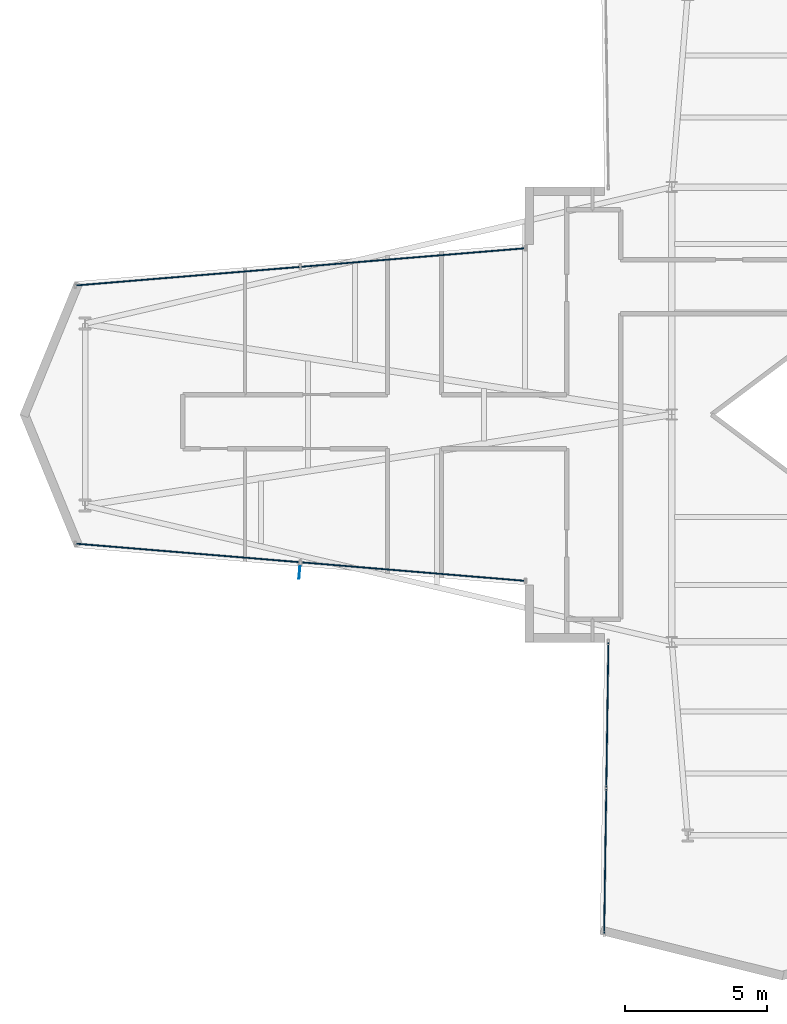
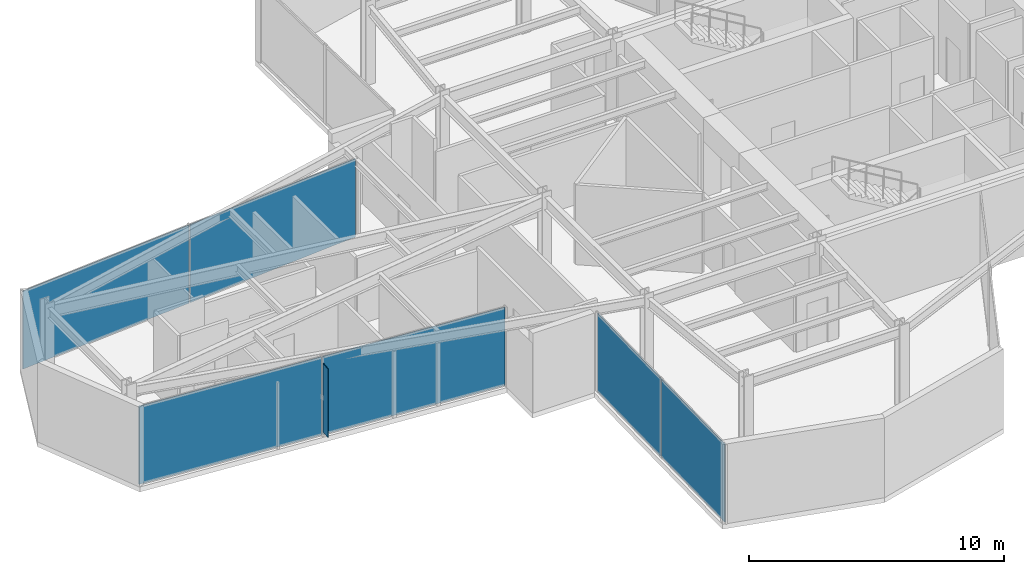
# One storey, part 19 of 25: 7 plates, 3 elements without a shape of their own.
"""IFC4 building model written with IfcOpenShell, lengths in metres."""

import ifcopenshell
import ifcopenshell.guid

model = None  # the IFC model being written
_history = None  # IfcOwnerHistory: only IFC2X3 demands one
_inside = {}  # id of a spatial element -> (the spatial element, [elements in it])
_under = {}  # id of a project, library or spatial element -> (it, [spatial elements below it])
_declared = {}  # id of a project -> (the project, [libraries it declares])
_typed = {}  # id of a type object -> (the type object, [elements of that type])
_made_of = {}  # id of a material, layer set ... -> (it, [elements and type objects made of it])


def new_model(schema):
    """Start an empty IFC model of exactly this schema.

    Asked for "IFC4X3", IfcOpenShell would pick the latest addendum, in which some entities
    have other attributes; the version numbers below select the first issue.
    IFC2X3 requires an IfcOwnerHistory on every rooted entity: one is made here for all.
    """
    global model, _history
    if schema == "IFC4X3":
        model = ifcopenshell.file(schema_version=(4, 3, 0, 0))
    else:
        model = ifcopenshell.file(schema=schema)
    _inside.clear()
    _under.clear()
    _declared.clear()
    _typed.clear()
    _made_of.clear()
    _history = None
    if model.schema == "IFC2X3":
        org = make("IfcOrganization", Name="unknown")
        user = make(
            "IfcPersonAndOrganization",
            ThePerson=make("IfcPerson", FamilyName="unknown"),
            TheOrganization=org,
        )
        app = make(
            "IfcApplication",
            ApplicationDeveloper=org,
            Version="unknown",
            ApplicationFullName="unknown",
            ApplicationIdentifier="unknown",
        )
        _history = make(
            "IfcOwnerHistory",
            OwningUser=user,
            OwningApplication=app,
            ChangeAction="ADDED",
            CreationDate=0,
        )
    return model


def make(cls, **values):
    """One entity of the class cls with the attributes given. An attribute that is None is left unset."""
    return model.create_entity(
        cls, **{name: value for name, value in values.items() if value is not None}
    )


def rooted(cls, **values):
    """An entity with a GlobalId (a new one), such as an element, a storey or a relation."""
    return make(cls, GlobalId=ifcopenshell.guid.new(), OwnerHistory=_history, **values)


def si_unit(unit_type, name, prefix=None):
    """IfcSIUnit, for example si_unit("LENGTHUNIT", "METRE", prefix="MILLI")."""
    return make("IfcSIUnit", UnitType=unit_type, Prefix=prefix, Name=name)


def assignment(units):
    """IfcUnitAssignment: the units of a project."""
    return None if units is None else make("IfcUnitAssignment", Units=units)


def point(xyz):
    """IfcCartesianPoint."""
    return None if xyz is None else make("IfcCartesianPoint", Coordinates=xyz)


def direction(xyz):
    """IfcDirection."""
    return None if xyz is None else make("IfcDirection", DirectionRatios=xyz)


def frame(location, z_axis=None, x_axis=None):
    """IfcAxis2Placement3D, a coordinate frame: its origin and axes. An axis left out is left unset."""
    return make(
        "IfcAxis2Placement3D",
        Location=point(location),
        Axis=direction(z_axis),
        RefDirection=direction(x_axis),
    )


def frame_2d(location, x_axis=None):
    """IfcAxis2Placement2D, a coordinate frame in the plane: its origin and x axis."""
    return make(
        "IfcAxis2Placement2D", Location=point(location), RefDirection=direction(x_axis)
    )


def origin():
    """The frame at (0, 0, 0) with its axes left unset."""
    return frame((0.0, 0.0, 0.0))


def origin_2d():
    """The frame at (0, 0) in the plane with its x axis left unset."""
    return frame_2d((0.0, 0.0))


def place(relative_to, where):
    """IfcLocalPlacement: puts the frame where relative to a parent placement (None: the world)."""
    return make(
        "IfcLocalPlacement", PlacementRelTo=relative_to, RelativePlacement=where
    )


def context(
    kind, dimensions, precision=None, world=None, true_north=None, identifier=None
):
    """IfcGeometricRepresentationContext, for example the 3D "Model" context."""
    return make(
        "IfcGeometricRepresentationContext",
        ContextIdentifier=identifier,
        ContextType=kind,
        CoordinateSpaceDimension=dimensions,
        Precision=precision,
        WorldCoordinateSystem=world,
        TrueNorth=true_north,
    )


def subcontext(parent, identifier, kind, view, scale=None):
    """IfcGeometricRepresentationSubContext, for example "Body" below "Model"."""
    return make(
        "IfcGeometricRepresentationSubContext",
        ContextIdentifier=identifier,
        ContextType=kind,
        ParentContext=parent,
        TargetScale=scale,
        TargetView=view,
    )


def project(units=None, contexts=None):
    """IfcProject with its units and contexts."""
    return rooted(
        "IfcProject",
        Name="project",
        RepresentationContexts=contexts,
        UnitsInContext=assignment(units),
    )


def spatial(cls, under=None, at=None, **own):
    """A site, building, storey or space (cls), placed at a placement, below another one or the project."""
    s = rooted(cls, ObjectPlacement=at, **own)
    if under is not None:
        _under.setdefault(under.id(), (under, []))[1].append(s)
    return s


def profile(cls, at=None, kind="AREA", **sizes):
    """A parametric profile (cls). Its sizes go by their IFC names, for example OverallWidth=200.0."""
    return make(cls, ProfileType=kind, Position=at, **sizes)


def rectangle(**sizes):
    """IfcRectangleProfileDef."""
    return profile("IfcRectangleProfileDef", **sizes)


def extrude(swept, where, along, depth):
    """IfcExtrudedAreaSolid: the profile swept, set in the frame where, extruded along a direction by depth."""
    return make(
        "IfcExtrudedAreaSolid",
        SweptArea=swept,
        Position=where,
        ExtrudedDirection=direction(along),
        Depth=depth,
    )


def shape(context_of_items, identifier, shape_type, items):
    """IfcShapeRepresentation: the items that make up one representation, for example the "Body"."""
    return make(
        "IfcShapeRepresentation",
        ContextOfItems=context_of_items,
        RepresentationIdentifier=identifier,
        RepresentationType=shape_type,
        Items=items,
    )


def material(Name=None, Category=None):
    """IfcMaterial."""
    return make("IfcMaterial", Name=Name, Category=Category)


def layer(
    of_material, thickness, ventilated=None, Name=None, Category=None, Priority=None
):
    """IfcMaterialLayer: one layer of a wall or slab, of a material (None: an air gap)."""
    return make(
        "IfcMaterialLayer",
        Material=of_material,
        LayerThickness=thickness,
        IsVentilated=ventilated,
        Name=Name,
        Category=Category,
        Priority=Priority,
    )


def layer_set(layers, Name=None):
    """IfcMaterialLayerSet."""
    return make("IfcMaterialLayerSet", MaterialLayers=layers, LayerSetName=Name)


def made_of(thing, what):
    """Note that an element or type object is made of a material, layer set ...; save() writes the relation."""
    if what is not None:
        _made_of.setdefault(what.id(), (what, []))[1].append(thing)
    return thing


def type_object(cls, material=None, **own):
    """A type object (cls), such as IfcWallType, which elements share."""
    return made_of(rooted(cls, **own), material)


def element(
    cls,
    number,
    at=None,
    inside=None,
    cuts=None,
    type_object=None,
    material=None,
    context=None,
    identifier="Body",
    shape_type=None,
    held_by="IfcProductDefinitionShape",
    body=None,
    shapes=None,
    **own,
):
    """One element of the class cls, such as IfcWall. Its Tag is "e" and its number.

    at: its placement. inside: the storey or other place that contains it. cuts: it is an
    opening in that element (IfcRelVoidsElement). A single representation is given by context,
    identifier, shape_type and body (its items); several are given by shapes. held_by: the class
    of the entity that holds the representations. save() writes the other relations.
    """
    e = rooted(cls, Tag="e%d" % number, ObjectPlacement=at, **own)
    if body is not None:
        shapes = [shape(context, identifier, shape_type, body)]
    if shapes is not None:
        e.Representation = make(held_by, Representations=shapes)
    if inside is not None:
        _inside.setdefault(inside.id(), (inside, []))[1].append(e)
    if cuts is not None:
        rooted(
            "IfcRelVoidsElement", RelatingBuildingElement=cuts, RelatedOpeningElement=e
        )
    if type_object is not None:
        _typed.setdefault(type_object.id(), (type_object, []))[1].append(e)
    return made_of(e, material)


def aggregate(whole, parts):
    """IfcRelAggregates: a whole, such as a stair, and the parts it consists of."""
    return rooted("IfcRelAggregates", RelatingObject=whole, RelatedObjects=parts)


def save(model, path):
    """Write the relations noted so far, then the file.

    IfcRelAggregates (storeys below a building ...), IfcRelContainedInSpatialStructure (elements
    in a storey), IfcRelDefinesByType, IfcRelAssociatesMaterial and IfcRelDeclares: one each for
    every whole, place, type object, material and project.
    """
    for whole, parts in _under.values():
        aggregate(whole, parts)
    for where, things in _inside.values():
        rooted(
            "IfcRelContainedInSpatialStructure",
            RelatedElements=things,
            RelatingStructure=where,
        )
    for kind, things in _typed.values():
        rooted("IfcRelDefinesByType", RelatedObjects=things, RelatingType=kind)
    for what, things in _made_of.values():
        rooted("IfcRelAssociatesMaterial", RelatedObjects=things, RelatingMaterial=what)
    for by, libraries in _declared.values():
        rooted("IfcRelDeclares", RelatingContext=by, RelatedDefinitions=libraries)
    model.write(path)


model = new_model("IFC4")

# Units and contexts
model_context = context("Model", 3, precision=1e-05, world=origin(), true_north=direction((0.0, 1.0)))
body_context = subcontext(model_context, "Body", "Model", "MODEL_VIEW")
ifc_project = project(units=[si_unit("LENGTHUNIT", "METRE"), si_unit("AREAUNIT", "SQUARE_METRE"), si_unit("VOLUMEUNIT", "CUBIC_METRE"), si_unit("PLANEANGLEUNIT", "RADIAN"), si_unit("MASSUNIT", "GRAM", prefix="KILO")], contexts=[model_context])

# Site, building, storey
site_placement = place(None, origin())
site = spatial("IfcSite", under=ifc_project, at=site_placement, CompositionType="ELEMENT")
building_placement = place(site_placement, origin())
building = spatial("IfcBuilding", under=site, at=building_placement, Name="Veymaron Broadcast Tower", CompositionType="ELEMENT")
storey_placement = place(building_placement, frame((0.0, 0.0, 120.89990234375)))
storey = spatial("IfcBuildingStorey", under=building, at=storey_placement, Name="L27", CompositionType="ELEMENT", Elevation=120.89990234375)

# Curtain wall, plates
ifc_material_1 = material(Name="Anodised aluminium AA 6063-T6 and laminated low-E dark glass", Category="aluminium")
ifc_layer_1 = layer(ifc_material_1, 0.179931640625)
ifc_layer_set_1 = layer_set([ifc_layer_1], Name="Anodised aluminium AA 6063-T6 and laminated low-E dark glass")
curtain_wall_type = type_object("IfcCurtainWallType", Name="CW-SYS-03", PredefinedType="NOTDEFINED", material=ifc_layer_set_1)
curtain_wall_1_placement = place(storey_placement, origin())
curtain_wall_1 = element("IfcCurtainWall", 1, at=curtain_wall_1_placement, inside=storey, type_object=curtain_wall_type, Name="L27 dark-glass curtain wall CW-L27-E11-1", PredefinedType="NOTDEFINED")
ifc_material_2 = material(Name="Insulated dark-anodised aluminium spandrel panel 40 mm", Category="aluminium")
ifc_layer_2 = layer(ifc_material_2, 0.0400390625)
ifc_layer_set_2 = layer_set([ifc_layer_2], Name="Insulated dark-anodised aluminium spandrel panel 40 mm")
plate_type_1 = type_object("IfcPlateType", Name="CW-PNL-03", PredefinedType="CURTAIN_PANEL", material=ifc_layer_set_2)
plate_1_placement = place(storey_placement, frame((22.091552734375, 29.52294921875, 0.0400390625), z_axis=(0.0, 0.0, 1.0), x_axis=(-0.996588588054, -0.082529910699, 0.0)))
plate_1 = element("IfcPlate", 2, at=plate_1_placement, type_object=plate_type_1, Name="CW-L27-E11-1 unitised curtain panel 0", PredefinedType="CURTAIN_PANEL", context=body_context, shape_type="SweptSolid", body=[
    extrude(rectangle(XDim=7.88720703125, YDim=0.0400390625, at=origin_2d()), origin(), (0.0, 0.0, 1.0), 3.72998046875),
])
plate_2_placement = place(storey_placement, frame((14.171630859375, 28.866943359375, 0.0400390625), z_axis=(0.0, 0.0, 1.0), x_axis=(-0.996588588054, -0.082529910699, 0.0)))
plate_2 = element("IfcPlate", 3, at=plate_2_placement, type_object=plate_type_1, Name="CW-L27-E11-1 unitised curtain panel 1", PredefinedType="CURTAIN_PANEL", context=body_context, shape_type="SweptSolid", body=[
    extrude(rectangle(XDim=7.88720703125, YDim=0.0400390625, at=origin_2d()), origin(), (0.0, 0.0, 1.0), 3.72998046875),
])
aggregate(curtain_wall_1, [plate_1, plate_2])

curtain_wall_2_placement = place(storey_placement, origin())
curtain_wall_2 = element("IfcCurtainWall", 4, at=curtain_wall_2_placement, inside=storey, type_object=curtain_wall_type, Name="L27 dark-glass curtain wall CW-L27-E14-1", PredefinedType="NOTDEFINED")
plate_3_placement = place(storey_placement, frame((14.171630859375, 19.133056640625, 0.0400390625), z_axis=(0.0, 0.0, 1.0), x_axis=(0.996588588054, -0.082529910699, 0.0)))
plate_3 = element("IfcPlate", 5, at=plate_3_placement, type_object=plate_type_1, Name="CW-L27-E14-1 unitised curtain panel 0", PredefinedType="CURTAIN_PANEL", context=body_context, shape_type="SweptSolid", body=[
    extrude(rectangle(XDim=7.88720703125, YDim=0.0400390625, at=origin_2d()), origin(), (0.0, 0.0, 1.0), 3.72998046875),
])
plate_4_placement = place(storey_placement, frame((22.091552734375, 18.47705078125, 0.0400390625), z_axis=(0.0, 0.0, 1.0), x_axis=(0.996588588054, -0.082529910699, 0.0)))
plate_4 = element("IfcPlate", 6, at=plate_4_placement, type_object=plate_type_1, Name="CW-L27-E14-1 unitised curtain panel 1", PredefinedType="CURTAIN_PANEL", context=body_context, shape_type="SweptSolid", body=[
    extrude(rectangle(XDim=7.88720703125, YDim=0.0400390625, at=origin_2d()), origin(), (0.0, 0.0, 1.0), 3.72998046875),
])
aggregate(curtain_wall_2, [plate_3, plate_4])

curtain_wall_3_placement = place(storey_placement, origin())
curtain_wall_3 = element("IfcCurtainWall", 7, at=curtain_wall_3_placement, inside=storey, type_object=curtain_wall_type, Name="L27 dark-glass curtain wall CW-L27-E17-1", PredefinedType="NOTDEFINED")
plate_5_placement = place(storey_placement, frame((28.9306640625, 13.427978515625, 0.0400390625), z_axis=(0.0, 0.0, 1.0), x_axis=(-0.014642789111, -0.999892788616, 0.0)))
plate_5 = element("IfcPlate", 8, at=plate_5_placement, type_object=plate_type_1, Name="CW-L27-E17-1 unitised curtain panel 0", PredefinedType="CURTAIN_PANEL", context=body_context, shape_type="SweptSolid", body=[
    extrude(rectangle(XDim=5.08056640625, YDim=0.0400390625, at=origin_2d()), origin(), (0.0, 0.0, 1.0), 3.72998046875),
])
plate_6_placement = place(storey_placement, frame((28.85546875, 8.2880859375, 0.0400390625), z_axis=(0.0, 0.0, 1.0), x_axis=(-0.014642789111, -0.999892788616, 0.0)))
plate_6 = element("IfcPlate", 9, at=plate_6_placement, type_object=plate_type_1, Name="CW-L27-E17-1 unitised curtain panel 1", PredefinedType="CURTAIN_PANEL", context=body_context, shape_type="SweptSolid", body=[
    extrude(rectangle(XDim=5.08056640625, YDim=0.0400390625, at=origin_2d()), origin(), (0.0, 0.0, 1.0), 3.72998046875),
])
aggregate(curtain_wall_3, [plate_5, plate_6])

# Plate
ifc_material_3 = material(Name="Dark-anodised aluminium AA 6061-T6", Category="aluminium")
ifc_layer_3 = layer(ifc_material_3, 0.034912109375)
ifc_layer_set_3 = layer_set([ifc_layer_3], Name="Dark-anodised aluminium AA 6061-T6")
plate_type_2 = type_object("IfcPlateType", Name="FIN-CHEV-01", PredefinedType="USERDEFINED", material=ifc_layer_set_3)
plate_7_placement = place(storey_placement, frame((18.102294921875, 18.451171875, 0.2666015625), z_axis=(0.0, 0.0, 1.0), x_axis=(-0.082529910699, -0.996588588054, 0.0)))
element("IfcPlate", 10, at=plate_7_placement, inside=storey, type_object=plate_type_2, Name="CW-L27-E14-1 chevron fin 1", ObjectType="FIN", PredefinedType="USERDEFINED", context=body_context, shape_type="SweptSolid", body=[
    extrude(rectangle(XDim=0.449951171875, YDim=0.034912109375, at=origin_2d()), origin(), (0.0, 0.0, 1.0), 3.276611328125),
])

save(model, "model.ifc")
